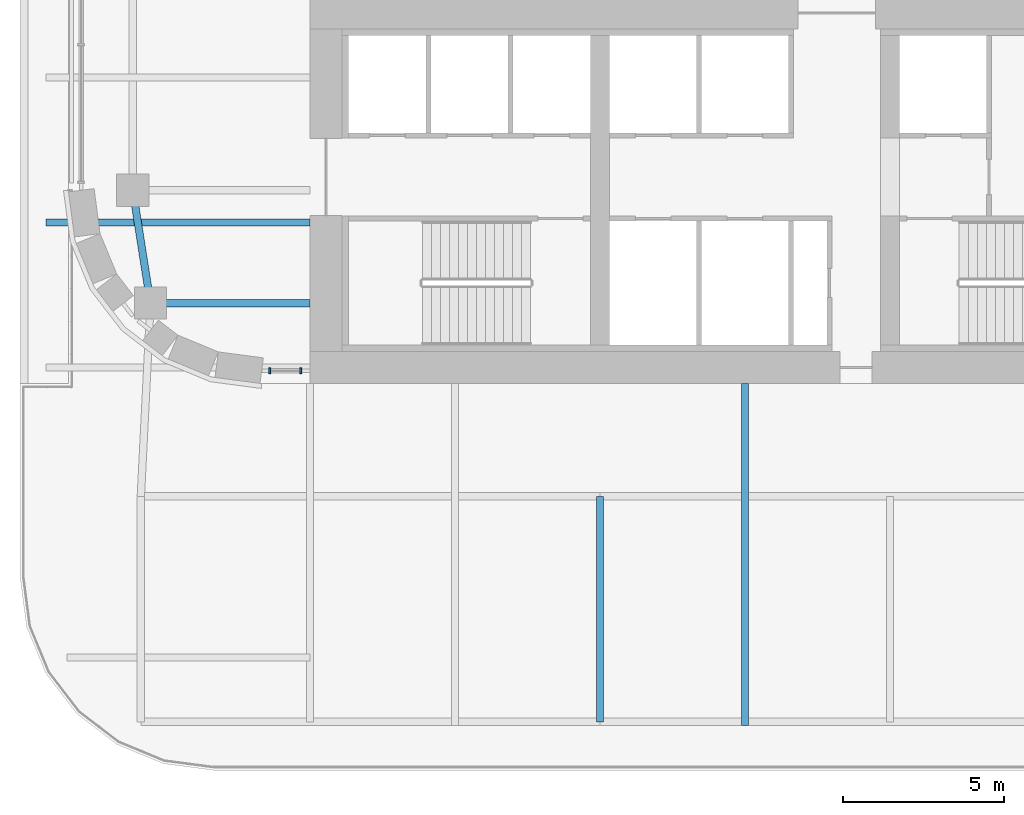
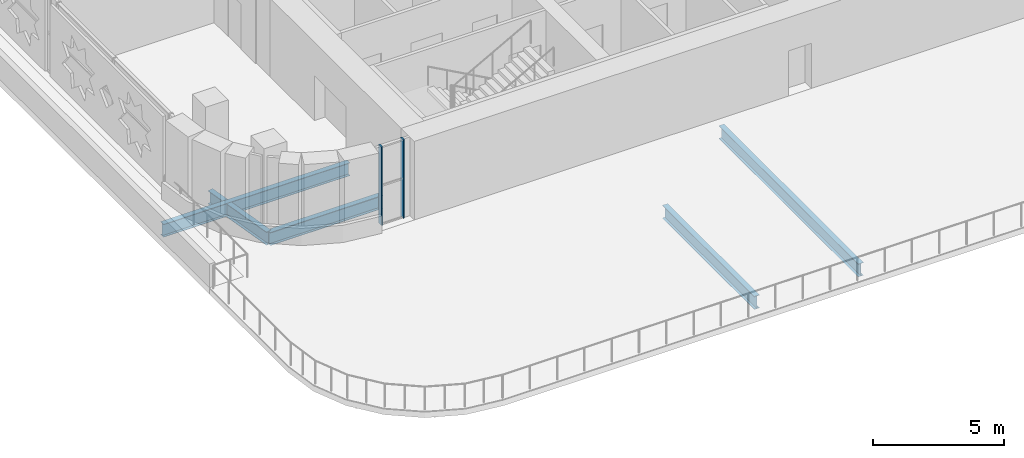
# One storey, part 2 of 26: 5 beams, 2 members, 1 element without a shape of its own.
"""IFC4 building model written with IfcOpenShell, lengths in metres."""

from ifc_helpers import new_model, si_unit, direction, frame, origin, origin_2d, place, context, subcontext, project, spatial, rectangle, i_section, extrude, material, material_profile, profile_set, type_object, element, aggregate, save


model = new_model("IFC4")

# Units and contexts
model_context = context("Model", 3, precision=1e-05, world=origin(), true_north=direction((0.0, 1.0)))
body_context = subcontext(model_context, "Body", "Model", "MODEL_VIEW")
ifc_project = project(units=[si_unit("LENGTHUNIT", "METRE"), si_unit("AREAUNIT", "SQUARE_METRE"), si_unit("VOLUMEUNIT", "CUBIC_METRE"), si_unit("PLANEANGLEUNIT", "RADIAN"), si_unit("MASSUNIT", "GRAM", prefix="KILO")], contexts=[model_context])

# Site, building, storey
site_placement = place(None, origin())
site = spatial("IfcSite", under=ifc_project, at=site_placement, CompositionType="ELEMENT")
building_placement = place(site_placement, origin())
building = spatial("IfcBuilding", under=site, at=building_placement, Name="Zellij Exchange Tower", CompositionType="ELEMENT")
storey_placement = place(building_placement, frame((0.0, 0.0, 156.5)))
storey = spatial("IfcBuildingStorey", under=building, at=storey_placement, Name="L35", CompositionType="ELEMENT", Elevation=156.5)

# Curtain wall, members
ifc_material_1 = material(Name="Aluminium frame, clear insulating glass", Category="aluminium")
curtain_wall_type = type_object("IfcCurtainWallType", Name="ENV-CW6 Sky-lobby glazing", PredefinedType="NOTDEFINED", material=ifc_material_1)
curtain_wall_placement = place(storey_placement, origin())
curtain_wall = element("IfcCurtainWall", 1, at=curtain_wall_placement, inside=storey, type_object=curtain_wall_type, Name="cw.L35.00a", PredefinedType="NOTDEFINED")
ifc_material_2 = material(Name="Aluminium", Category="aluminium")
ifc_material_profile_1 = material_profile(ifc_material_2, rectangle(XDim=0.06005859375, YDim=0.199951171875, at=origin_2d()), Name="AL 60x200")
ifc_profile_set_1 = profile_set([ifc_material_profile_1], Name="Aluminium")
member_type = type_object("IfcMemberType", Name="ENV-CW6M Mullion 60x200", PredefinedType="MULLION", material=ifc_profile_set_1)
member_1_placement = place(storey_placement, frame((-28.243896484375, -13.60009765625, 0.0), z_axis=(0.0, 0.0, 1.0), x_axis=(1.0, 0.0, 0.0)))
member_1 = element("IfcMember", 2, at=member_1_placement, type_object=member_type, Name="CW6 mullion 1", PredefinedType="MULLION", context=body_context, shape_type="SweptSolid", body=[
    extrude(rectangle(XDim=0.06005859375, YDim=0.199951171875, at=origin_2d()), origin(), (0.0, 0.0, 1.0), 3.64990234375),
])
member_2_placement = place(storey_placement, frame((-27.280029296875, -13.60009765625, 0.0), z_axis=(0.0, 0.0, 1.0), x_axis=(1.0, 0.0, 0.0)))
member_2 = element("IfcMember", 3, at=member_2_placement, type_object=member_type, Name="CW6 mullion 2", PredefinedType="MULLION", context=body_context, shape_type="SweptSolid", body=[
    extrude(rectangle(XDim=0.06005859375, YDim=0.199951171875, at=origin_2d()), origin(), (0.0, 0.0, 1.0), 3.64990234375),
])
aggregate(curtain_wall, [member_1, member_2])

# Beams
ifc_material_3 = material(Name="Structural steel ASTM A992 Gr 50", Category="steel")
ifc_material_profile_2 = material_profile(ifc_material_3, i_section(OverallWidth=0.227783203125, OverallDepth=0.60205078125, WebThickness=0.010498046875, FlangeThickness=0.014892578125, at=origin_2d()), Name="W24x68")
ifc_profile_set_2 = profile_set([ifc_material_profile_2], Name="Structural steel ASTM A992 Gr 50")
beam_type_1 = type_object("IfcBeamType", Name="STR-BEAM W24x68", PredefinedType="BEAM", material=ifc_profile_set_2)
beam_1_placement = place(storey_placement, frame((-13.5, -24.614501953125, -0.60107421875), z_axis=(0.0, 1.0, 0.0), x_axis=(-1.0, 0.0, 0.0)))
element("IfcBeam", 4, at=beam_1_placement, inside=storey, type_object=beam_type_1, Name="B5", PredefinedType="BEAM", context=body_context, shape_type="SweptSolid", body=[
    extrude(i_section(OverallWidth=0.227783203125, OverallDepth=0.60205078125, WebThickness=0.010498046875, FlangeThickness=0.014892578125, at=origin_2d()), origin(), (0.0, 0.0, 1.0), 10.614501953125),
])
beam_2_placement = place(storey_placement, frame((-35.199951171875, -9.0, -0.60107421875), z_axis=(1.0, 0.0, 0.0), x_axis=(0.0, 1.0, 0.0)))
element("IfcBeam", 5, at=beam_2_placement, inside=storey, type_object=beam_type_1, Name="B5", PredefinedType="BEAM", context=body_context, shape_type="SweptSolid", body=[
    extrude(i_section(OverallWidth=0.227783203125, OverallDepth=0.60205078125, WebThickness=0.010498046875, FlangeThickness=0.014892578125, at=origin_2d()), origin(), (0.0, 0.0, 1.0), 8.199951171875),
])
ifc_material_profile_3 = material_profile(ifc_material_3, i_section(OverallWidth=0.22900390625, OverallDepth=0.612060546875, WebThickness=0.011962890625, FlangeThickness=0.01953125, at=origin_2d()), Name="W24x84")
ifc_profile_set_3 = profile_set([ifc_material_profile_3], Name="Structural steel ASTM A992 Gr 50")
beam_type_2 = type_object("IfcBeamType", Name="STR-EDGE GIRDER W24x84", PredefinedType="BEAM", material=ifc_profile_set_3)
beam_3_placement = place(storey_placement, frame((-31.949951171875, -11.5, -0.606201171875), z_axis=(-0.155251283593, 0.987875011802, 0.0), x_axis=(-0.987875011802, -0.155251283593, 0.0)))
element("IfcBeam", 6, at=beam_3_placement, inside=storey, type_object=beam_type_2, Name="EB6", PredefinedType="BEAM", context=body_context, shape_type="SweptSolid", body=[
    extrude(i_section(OverallWidth=0.22900390625, OverallDepth=0.612060546875, WebThickness=0.011962890625, FlangeThickness=0.01953125, at=origin_2d()), origin(), (0.0, 0.0, 1.0), 3.54296875),
])
ifc_material_profile_4 = material_profile(ifc_material_3, i_section(OverallWidth=0.22900390625, OverallDepth=0.612060546875, WebThickness=0.011962890625, FlangeThickness=0.01953125, at=origin_2d()), Name="W24x84")
ifc_profile_set_4 = profile_set([ifc_material_profile_4], Name="Structural steel ASTM A992 Gr 50")
beam_type_3 = type_object("IfcBeamType", Name="STR-GIRDER W24x84", PredefinedType="BEAM", material=ifc_profile_set_4)
beam_4_placement = place(storey_placement, frame((-31.949951171875, -11.5, -0.606201171875), z_axis=(1.0, 0.0, 0.0), x_axis=(0.0, 1.0, 0.0)))
element("IfcBeam", 7, at=beam_4_placement, inside=storey, type_object=beam_type_3, Name="G4", PredefinedType="BEAM", context=body_context, shape_type="SweptSolid", body=[
    extrude(i_section(OverallWidth=0.22900390625, OverallDepth=0.612060546875, WebThickness=0.011962890625, FlangeThickness=0.01953125, at=origin_2d()), origin(), (0.0, 0.0, 1.0), 4.949951171875),
])
beam_5_placement = place(storey_placement, frame((-18.0, -24.5, -0.606201171875), z_axis=(0.0, 1.0, 0.0), x_axis=(-1.0, 0.0, 0.0)))
element("IfcBeam", 8, at=beam_5_placement, inside=storey, type_object=beam_type_3, Name="G4", PredefinedType="BEAM", context=body_context, shape_type="SweptSolid", body=[
    extrude(i_section(OverallWidth=0.22900390625, OverallDepth=0.612060546875, WebThickness=0.011962890625, FlangeThickness=0.01953125, at=origin_2d()), origin(), (0.0, 0.0, 1.0), 7.0),
])

save(model, "model.ifc")
